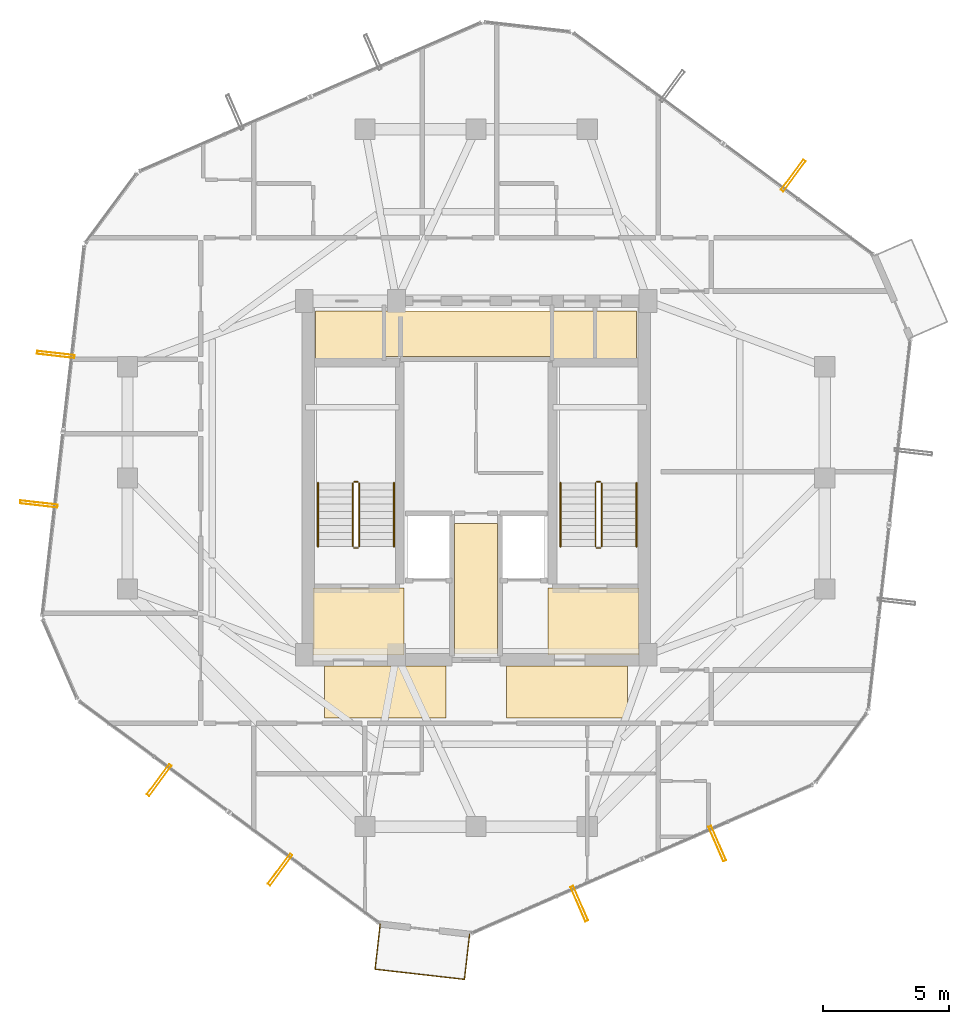
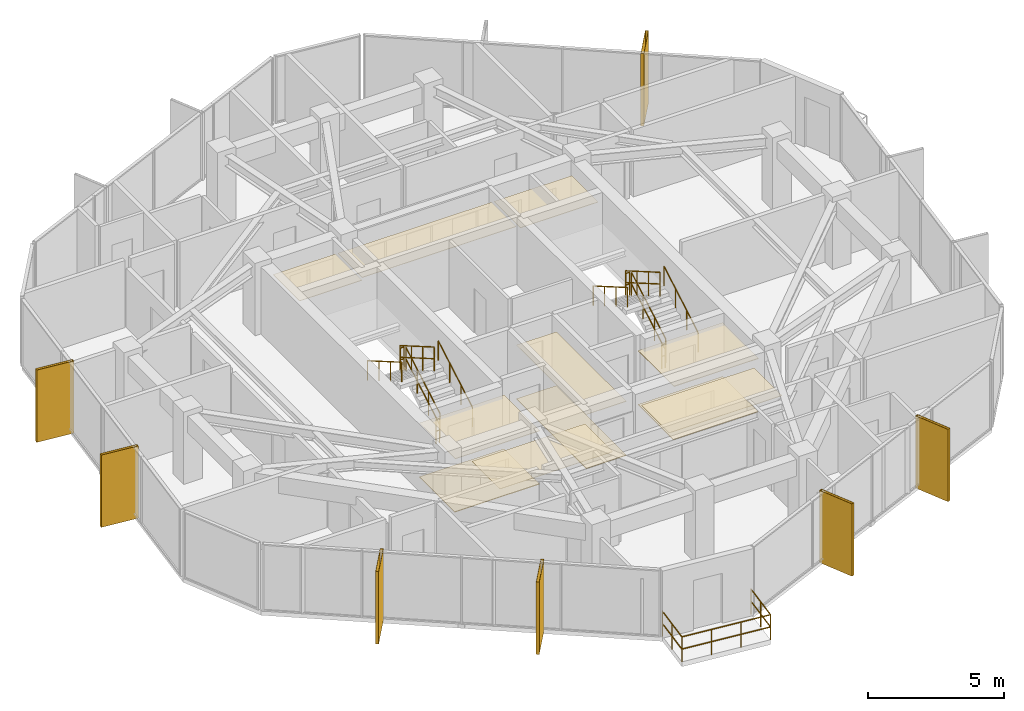
# One storey, part 29 of 30: 13 railings, 11 coverings, 7 shading devices.
"""IFC4 building model written with IfcOpenShell, lengths in metres."""

from ifc_helpers import new_model, si_unit, direction, frame, origin, origin_2d, place, context, subcontext, project, spatial, polyline, hollow_rectangle, circle, outline, extrude, material, layer, layer_set, material_profile, profile_set, type_object, element, save


model = new_model("IFC4")

# Units and contexts
model_context = context("Model", 3, precision=1e-05, world=origin(), true_north=direction((0.0, 1.0)))
body_context = subcontext(model_context, "Body", "Model", "MODEL_VIEW")
ifc_project = project(units=[si_unit("LENGTHUNIT", "METRE"), si_unit("AREAUNIT", "SQUARE_METRE"), si_unit("VOLUMEUNIT", "CUBIC_METRE"), si_unit("PLANEANGLEUNIT", "RADIAN"), si_unit("MASSUNIT", "GRAM", prefix="KILO")], contexts=[model_context])

# Site, building, storey
site_placement = place(None, origin())
site = spatial("IfcSite", under=ifc_project, at=site_placement, CompositionType="ELEMENT")
building_placement = place(site_placement, origin())
building = spatial("IfcBuilding", under=site, at=building_placement, Name="Veraguas Prism Commons", CompositionType="ELEMENT")
storey_placement = place(building_placement, frame((0.0, 0.0, 230.050048828125)))
storey = spatial("IfcBuildingStorey", under=building, at=storey_placement, Name="L65", CompositionType="ELEMENT", Elevation=230.050048828125)

# Shading devices
ifc_material_1 = material(Name="Anodised aluminium EN AW-6063 T6", Category="aluminium")
ifc_material_profile = material_profile(ifc_material_1, hollow_rectangle(XDim=0.1201171875, YDim=1.489990234375, WallThickness=0.006103515625, at=origin_2d()), Name="FIN120X1490X6")
ifc_profile_set = profile_set([ifc_material_profile], Name="Anodised aluminium EN AW-6063 T6")
shading_device_type = type_object("IfcShadingDeviceType", Name="Deep Pale-Metal Vertical Solar Fin 120x1490", PredefinedType="USERDEFINED", material=ifc_profile_set)
for number, where, z_axis, x_axis, name in (
    (1, (36.54833984375, 35.962890625, -0.215087890625), (0.0, 0.0, 1.0), (-0.804063406288, 0.594543554896, 0.0), "Vertical Pale-Metal Solar Fin L65-F1A"),
    (2, (7.36572265625, 28.8857421875, -0.215087890625), (0.0, 0.0, 1.0), (-0.112861587409, -0.993610719592, 0.0), "Vertical Pale-Metal Solar Fin L65-F3A"),
    (3, (6.693603515625, 22.96923828125, -0.215087890625), (0.0, 0.0, 1.0), (-0.112861587409, -0.993610719592, 0.0), "Vertical Pale-Metal Solar Fin L65-F3B"),
    (4, (11.45166015625, 12.037109375, -0.215087890625), (0.0, 0.0, 1.0), (0.804063406288, -0.594543554896, 0.0), "Vertical Pale-Metal Solar Fin L65-F4A"),
    (5, (16.239501953125, 8.496826171875, -0.215087890625), (0.0, 0.0, 1.0), (0.804063406288, -0.594543554896, 0.0), "Vertical Pale-Metal Solar Fin L65-F4B"),
    (6, (28.0859375, 7.1513671875, -0.215087890625), (0.0, 0.0, 1.0), (0.916920132326, 0.399070759308, 0.0), "Vertical Pale-Metal Solar Fin L65-F5A"),
    (7, (33.5458984375, 9.527587890625, -0.215087890625), (0.0, 0.0, 1.0), (0.916920132326, 0.399070759308, 0.0), "Vertical Pale-Metal Solar Fin L65-F5B"),
):
    element("IfcShadingDevice", number, at=place(storey_placement, frame(where, z_axis=z_axis, x_axis=x_axis)), inside=storey, type_object=shading_device_type, Name=name, ObjectType="FIN", PredefinedType="USERDEFINED", context=body_context, shape_type="SweptSolid", body=[
        extrude(hollow_rectangle(XDim=0.1201171875, YDim=1.489990234375, WallThickness=0.006103515625, at=origin_2d()), origin(), (0.0, 0.0, 1.0), 3.25),
    ])

# Coverings
ifc_material_2 = material(Name="Acoustic gypsum board")
ifc_layer_1 = layer(ifc_material_2, 0.02490234375, Name="Perforated Acoustic Ceiling Tile 25")
ifc_layer_set_1 = layer_set([ifc_layer_1], Name="Acoustic gypsum board")
covering_type_1 = type_object("IfcCoveringType", Name="Perforated Acoustic Ceiling Tile 25", PredefinedType="USERDEFINED", material=ifc_layer_set_1)
covering_1_placement = place(storey_placement, frame((0.0, 0.0, 2.425048828125)))
element("IfcCovering", 8, at=covering_1_placement, inside=storey, type_object=covering_type_1, Name="East Lobby Acoustic Ceiling L65", ObjectType="ACOUSTIC CEILING", PredefinedType="USERDEFINED", context=body_context, shape_type="SweptSolid", body=[
    extrude(outline(polyline([(26.85009765625, 17.0), (30.449951171875, 17.0), (30.449951171875, 19.64990234375), (26.85009765625, 19.64990234375), (26.85009765625, 17.0)])), origin(), (0.0, 0.0, 1.0), 0.02490234375),
])
ifc_material_3 = material(Name="Terrazzo stone finish", Category="masonry")
ifc_layer_2 = layer(ifc_material_3, 0.030029296875, Name="Polished Terrazzo Floor Finish 30", Category="masonry")
ifc_layer_set_2 = layer_set([ifc_layer_2], Name="Terrazzo stone finish")
covering_type_2 = type_object("IfcCoveringType", Name="Polished Terrazzo Floor Finish 30", PredefinedType="FLOORING", material=ifc_layer_set_2)
covering_2_placement = place(storey_placement, origin())
element("IfcCovering", 9, at=covering_2_placement, inside=storey, type_object=covering_type_2, Name="Terrazzo Lobby Flooring L65", PredefinedType="FLOORING", context=body_context, shape_type="SweptSolid", body=[
    extrude(outline(polyline([(23.14990234375, 17.050048828125), (24.85009765625, 17.050048828125), (24.85009765625, 22.199951171875), (23.14990234375, 22.199951171875), (23.14990234375, 17.050048828125)])), origin(), (0.0, 0.0, 1.0), 0.030029296875),
])
covering_3_placement = place(storey_placement, origin())
element("IfcCovering", 10, at=covering_3_placement, inside=storey, type_object=covering_type_2, Name="West FF Lobby Terrazzo Flooring L65", PredefinedType="FLOORING", context=body_context, shape_type="SweptSolid", body=[
    extrude(outline(polyline([(17.550048828125, 17.050048828125), (21.14990234375, 17.050048828125), (21.14990234375, 19.64990234375), (17.550048828125, 19.64990234375), (17.550048828125, 17.050048828125)])), origin(), (0.0, 0.0, 1.0), 0.030029296875),
])
covering_4_placement = place(storey_placement, origin())
element("IfcCovering", 11, at=covering_4_placement, inside=storey, type_object=covering_type_2, Name="East FF Lobby Terrazzo Flooring L65", PredefinedType="FLOORING", context=body_context, shape_type="SweptSolid", body=[
    extrude(outline(polyline([(26.85009765625, 17.050048828125), (30.449951171875, 17.050048828125), (30.449951171875, 19.64990234375), (26.85009765625, 19.64990234375), (26.85009765625, 17.050048828125)])), origin(), (0.0, 0.0, 1.0), 0.030029296875),
])

# Railings
ifc_material_4 = material(Name="Stainless steel AISI 316", Category="steel")
railing_type_1 = type_object("IfcRailingType", Name="Setback and Wind Portal Guardrail 1150", PredefinedType="GUARDRAIL", material=ifc_material_4)
railing_1_placement = place(storey_placement, frame((20.201904296875, 6.34423828125, 0.0)))
element("IfcRailing", 12, at=railing_1_placement, inside=storey, type_object=railing_type_1, Name="Setback Sky Terrace L65 Guard", PredefinedType="GUARDRAIL", context=body_context, shape_type="SweptSolid", body=[
    extrude(circle(Radius=0.02392578125, at=origin_2d()), frame((0.0, 0.0, 1.1259765625), z_axis=(-0.112842738178, -0.993612860444, 0.0), x_axis=(0.993612860444, -0.112842738178, 0.0)), (0.0, 0.0, 1.0), 1.800048828125),
    extrude(circle(Radius=0.02392578125, at=origin_2d()), frame((0.0, 0.0, 0.574951171875), z_axis=(-0.112842738178, -0.993612860444, 0.0), x_axis=(0.993612860444, -0.112842738178, 0.0)), (0.0, 0.0, 1.0), 1.800048828125),
    extrude(circle(Radius=0.02392578125, at=origin_2d()), frame((-0.203125, -1.78857421875, 1.1259765625), z_axis=(0.993617654799, -0.112800514504, 0.0), x_axis=(0.112800514504, 0.993617654799, 0.0)), (0.0, 0.0, 1.0), 3.5625),
    extrude(circle(Radius=0.02392578125, at=origin_2d()), frame((-0.203125, -1.78857421875, 0.574951171875), z_axis=(0.993617654799, -0.112800514504, 0.0), x_axis=(0.112800514504, 0.993617654799, 0.0)), (0.0, 0.0, 1.0), 3.5625),
    extrude(circle(Radius=0.02392578125, at=origin_2d()), frame((3.336669921875, -2.1904296875, 1.1259765625), z_axis=(0.112857947129, 0.993611133075, 0.0), x_axis=(-0.993611133075, 0.112857947129, 0.0)), (0.0, 0.0, 1.0), 1.7998046875),
    extrude(circle(Radius=0.02392578125, at=origin_2d()), frame((3.336669921875, -2.1904296875, 0.574951171875), z_axis=(0.112857947129, 0.993611133075, 0.0), x_axis=(-0.993611133075, 0.112857947129, 0.0)), (0.0, 0.0, 1.0), 1.7998046875),
    extrude(circle(Radius=0.02099609375, at=origin_2d()), origin(), (0.0, 0.0, 1.0), 1.101806640625),
    extrude(circle(Radius=0.02099609375, at=origin_2d()), frame((-0.1015625, -0.894287109375, 0.0)), (0.0, 0.0, 1.0), 1.101806640625),
    extrude(circle(Radius=0.02099609375, at=origin_2d()), frame((-0.203125, -1.78857421875, 0.0)), (0.0, 0.0, 1.0), 1.101806640625),
    extrude(circle(Radius=0.02099609375, at=origin_2d()), frame((0.976806640625, -1.922607421875, 0.0)), (0.0, 0.0, 1.0), 1.101806640625),
    extrude(circle(Radius=0.02099609375, at=origin_2d()), frame((2.15673828125, -2.056396484375, 0.0)), (0.0, 0.0, 1.0), 1.101806640625),
    extrude(circle(Radius=0.02099609375, at=origin_2d()), frame((3.336669921875, -2.1904296875, 0.0)), (0.0, 0.0, 1.0), 1.101806640625),
    extrude(circle(Radius=0.02099609375, at=origin_2d()), frame((3.438232421875, -1.29638671875, 0.0)), (0.0, 0.0, 1.0), 1.101806640625),
    extrude(circle(Radius=0.02099609375, at=origin_2d()), frame((3.539794921875, -0.402099609375, 0.0)), (0.0, 0.0, 1.0), 1.101806640625),
])
railing_type_2 = type_object("IfcRailingType", Name="Stair and Ramp Stainless Handrail 900", PredefinedType="HANDRAIL", material=ifc_material_4)
railing_2_placement = place(storey_placement, frame((20.75, 21.280029296875, 0.162353515625)))
element("IfcRailing", 13, at=railing_2_placement, inside=storey, type_object=railing_type_2, Name="Stair Handrail ST-01 L65-1", PredefinedType="HANDRAIL", context=body_context, shape_type="SweptSolid", body=[
    extrude(circle(Radius=0.02392578125, at=origin_2d()), frame((0.0, 0.0, 0.8759765625), z_axis=(0.0, 0.864876961378, 0.501983905795), x_axis=(-1.0, 0.0, 0.0)), (0.0, 0.0, 1.0), 2.913818359375),
    extrude(circle(Radius=0.02099609375, at=origin_2d()), origin(), (0.0, 0.0, 1.0), 0.851806640625),
    extrude(circle(Radius=0.02099609375, at=origin_2d()), frame((0.0, 0.840087890625, 0.487548828125)), (0.0, 0.0, 1.0), 0.851806640625),
    extrude(circle(Radius=0.02099609375, at=origin_2d()), frame((0.0, 1.679931640625, 0.97509765625)), (0.0, 0.0, 1.0), 0.851806640625),
    extrude(circle(Radius=0.02099609375, at=origin_2d()), frame((0.0, 2.52001953125, 1.462646484375)), (0.0, 0.0, 1.0), 0.851806640625),
])
railing_3_placement = place(storey_placement, frame((17.739990234375, 23.800048828125, 1.787353515625)))
element("IfcRailing", 14, at=railing_3_placement, inside=storey, type_object=railing_type_2, Name="Stair Handrail ST-01 L65-2", PredefinedType="HANDRAIL", context=body_context, shape_type="SweptSolid", body=[
    extrude(circle(Radius=0.02392578125, at=origin_2d()), frame((0.0, 0.0, 0.8759765625), z_axis=(0.0, -0.864876961378, 0.501983905795), x_axis=(1.0, 0.0, 0.0)), (0.0, 0.0, 1.0), 2.913818359375),
    extrude(circle(Radius=0.02099609375, at=origin_2d()), origin(), (0.0, 0.0, 1.0), 0.851806640625),
    extrude(circle(Radius=0.02099609375, at=origin_2d()), frame((0.0, -0.840087890625, 0.487548828125)), (0.0, 0.0, 1.0), 0.851806640625),
    extrude(circle(Radius=0.02099609375, at=origin_2d()), frame((0.0, -1.679931640625, 0.97509765625)), (0.0, 0.0, 1.0), 0.851806640625),
    extrude(circle(Radius=0.02099609375, at=origin_2d()), frame((0.0, -2.52001953125, 1.462646484375)), (0.0, 0.0, 1.0), 0.851806640625),
])
railing_4_placement = place(storey_placement, frame((30.35009765625, 21.280029296875, 0.162353515625)))
element("IfcRailing", 15, at=railing_4_placement, inside=storey, type_object=railing_type_2, Name="Stair Handrail ST-02 L65-1", PredefinedType="HANDRAIL", context=body_context, shape_type="SweptSolid", body=[
    extrude(circle(Radius=0.02392578125, at=origin_2d()), frame((0.0, 0.0, 0.8759765625), z_axis=(0.0, 0.864876961378, 0.501983905795), x_axis=(-1.0, 0.0, 0.0)), (0.0, 0.0, 1.0), 2.913818359375),
    extrude(circle(Radius=0.02099609375, at=origin_2d()), origin(), (0.0, 0.0, 1.0), 0.851806640625),
    extrude(circle(Radius=0.02099609375, at=origin_2d()), frame((0.0, 0.840087890625, 0.487548828125)), (0.0, 0.0, 1.0), 0.851806640625),
    extrude(circle(Radius=0.02099609375, at=origin_2d()), frame((0.0, 1.679931640625, 0.97509765625)), (0.0, 0.0, 1.0), 0.851806640625),
    extrude(circle(Radius=0.02099609375, at=origin_2d()), frame((0.0, 2.52001953125, 1.462646484375)), (0.0, 0.0, 1.0), 0.851806640625),
])
railing_5_placement = place(storey_placement, frame((27.340087890625, 23.800048828125, 1.787353515625)))
element("IfcRailing", 16, at=railing_5_placement, inside=storey, type_object=railing_type_2, Name="Stair Handrail ST-02 L65-2", PredefinedType="HANDRAIL", context=body_context, shape_type="SweptSolid", body=[
    extrude(circle(Radius=0.02392578125, at=origin_2d()), frame((0.0, 0.0, 0.8759765625), z_axis=(0.0, -0.864876961378, 0.501983905795), x_axis=(1.0, 0.0, 0.0)), (0.0, 0.0, 1.0), 2.913818359375),
    extrude(circle(Radius=0.02099609375, at=origin_2d()), origin(), (0.0, 0.0, 1.0), 0.851806640625),
    extrude(circle(Radius=0.02099609375, at=origin_2d()), frame((0.0, -0.840087890625, 0.487548828125)), (0.0, 0.0, 1.0), 0.851806640625),
    extrude(circle(Radius=0.02099609375, at=origin_2d()), frame((0.0, -1.679931640625, 0.97509765625)), (0.0, 0.0, 1.0), 0.851806640625),
    extrude(circle(Radius=0.02099609375, at=origin_2d()), frame((0.0, -2.52001953125, 1.462646484375)), (0.0, 0.0, 1.0), 0.851806640625),
])
railing_type_3 = type_object("IfcRailingType", Name="Stairwell Safety Guardrail 1100", PredefinedType="GUARDRAIL", material=ifc_material_4)
railing_6_placement = place(storey_placement, frame((19.3701171875, 21.280029296875, 0.162353515625)))
element("IfcRailing", 17, at=railing_6_placement, inside=storey, type_object=railing_type_3, Name="Stair Guard ST-01 L65-1", PredefinedType="GUARDRAIL", context=body_context, shape_type="SweptSolid", body=[
    extrude(circle(Radius=0.02392578125, at=origin_2d()), frame((0.0, 0.0, 1.076171875), z_axis=(0.0, 0.864876961378, 0.501983905795), x_axis=(-1.0, 0.0, 0.0)), (0.0, 0.0, 1.0), 2.913818359375),
    extrude(circle(Radius=0.02392578125, at=origin_2d()), frame((0.0, 0.0, 0.550048828125), z_axis=(0.0, 0.864876961378, 0.501983905795), x_axis=(-1.0, 0.0, 0.0)), (0.0, 0.0, 1.0), 2.913818359375),
    extrude(circle(Radius=0.02099609375, at=origin_2d()), origin(), (0.0, 0.0, 1.0), 1.052001953125),
    extrude(circle(Radius=0.02099609375, at=origin_2d()), frame((0.0, 0.840087890625, 0.487548828125)), (0.0, 0.0, 1.0), 1.052001953125),
    extrude(circle(Radius=0.02099609375, at=origin_2d()), frame((0.0, 1.679931640625, 0.97509765625)), (0.0, 0.0, 1.0), 1.052001953125),
    extrude(circle(Radius=0.02099609375, at=origin_2d()), frame((0.0, 2.52001953125, 1.462646484375)), (0.0, 0.0, 1.0), 1.052001953125),
])
railing_7_placement = place(storey_placement, frame((19.320068359375, 23.85009765625, 1.625)))
element("IfcRailing", 18, at=railing_7_placement, inside=storey, type_object=railing_type_3, Name="Stair Guard ST-01 L65-2", PredefinedType="GUARDRAIL", context=body_context, shape_type="SweptSolid", body=[
    extrude(circle(Radius=0.02392578125, at=origin_2d()), frame((0.0, 0.0, 1.076171875), z_axis=(-1.0, 0.0, 0.0), x_axis=(0.0, -1.0, 0.0)), (0.0, 0.0, 1.0), 0.150146484375),
    extrude(circle(Radius=0.02392578125, at=origin_2d()), frame((0.0, 0.0, 0.550048828125), z_axis=(-1.0, 0.0, 0.0), x_axis=(0.0, -1.0, 0.0)), (0.0, 0.0, 1.0), 0.150146484375),
    extrude(circle(Radius=0.02099609375, at=origin_2d()), origin(), (0.0, 0.0, 1.0), 1.052001953125),
    extrude(circle(Radius=0.02099609375, at=origin_2d()), frame((-0.150146484375, 0.0, 0.0)), (0.0, 0.0, 1.0), 1.052001953125),
])
railing_8_placement = place(storey_placement, frame((19.1201171875, 23.800048828125, 1.787353515625)))
element("IfcRailing", 19, at=railing_8_placement, inside=storey, type_object=railing_type_3, Name="Stair Guard ST-01 L65-3", PredefinedType="GUARDRAIL", context=body_context, shape_type="SweptSolid", body=[
    extrude(circle(Radius=0.02392578125, at=origin_2d()), frame((0.0, 0.0, 1.076171875), z_axis=(0.0, -0.864876961378, 0.501983905795), x_axis=(1.0, 0.0, 0.0)), (0.0, 0.0, 1.0), 2.913818359375),
    extrude(circle(Radius=0.02392578125, at=origin_2d()), frame((0.0, 0.0, 0.550048828125), z_axis=(0.0, -0.864876961378, 0.501983905795), x_axis=(1.0, 0.0, 0.0)), (0.0, 0.0, 1.0), 2.913818359375),
    extrude(circle(Radius=0.02099609375, at=origin_2d()), origin(), (0.0, 0.0, 1.0), 1.052001953125),
    extrude(circle(Radius=0.02099609375, at=origin_2d()), frame((0.0, -0.840087890625, 0.487548828125)), (0.0, 0.0, 1.0), 1.052001953125),
    extrude(circle(Radius=0.02099609375, at=origin_2d()), frame((0.0, -1.679931640625, 0.97509765625)), (0.0, 0.0, 1.0), 1.052001953125),
    extrude(circle(Radius=0.02099609375, at=origin_2d()), frame((0.0, -2.52001953125, 1.462646484375)), (0.0, 0.0, 1.0), 1.052001953125),
])
railing_9_placement = place(storey_placement, frame((19.320068359375, 21.22998046875, 0.0)))
element("IfcRailing", 20, at=railing_9_placement, inside=storey, type_object=railing_type_3, Name="Stair Guard ST-01 L65-4", PredefinedType="GUARDRAIL", context=body_context, shape_type="SweptSolid", body=[
    extrude(circle(Radius=0.02392578125, at=origin_2d()), frame((0.0, 0.0, 1.076171875), z_axis=(-1.0, 0.0, 0.0), x_axis=(0.0, -1.0, 0.0)), (0.0, 0.0, 1.0), 0.150146484375),
    extrude(circle(Radius=0.02392578125, at=origin_2d()), frame((0.0, 0.0, 0.550048828125), z_axis=(-1.0, 0.0, 0.0), x_axis=(0.0, -1.0, 0.0)), (0.0, 0.0, 1.0), 0.150146484375),
    extrude(circle(Radius=0.02099609375, at=origin_2d()), origin(), (0.0, 0.0, 1.0), 1.052001953125),
    extrude(circle(Radius=0.02099609375, at=origin_2d()), frame((-0.150146484375, 0.0, 0.0)), (0.0, 0.0, 1.0), 1.052001953125),
])
railing_10_placement = place(storey_placement, frame((28.969970703125, 21.280029296875, 0.162353515625)))
element("IfcRailing", 21, at=railing_10_placement, inside=storey, type_object=railing_type_3, Name="Stair Guard ST-02 L65-1", PredefinedType="GUARDRAIL", context=body_context, shape_type="SweptSolid", body=[
    extrude(circle(Radius=0.02392578125, at=origin_2d()), frame((0.0, 0.0, 1.076171875), z_axis=(0.0, 0.864876961378, 0.501983905795), x_axis=(-1.0, 0.0, 0.0)), (0.0, 0.0, 1.0), 2.913818359375),
    extrude(circle(Radius=0.02392578125, at=origin_2d()), frame((0.0, 0.0, 0.550048828125), z_axis=(0.0, 0.864876961378, 0.501983905795), x_axis=(-1.0, 0.0, 0.0)), (0.0, 0.0, 1.0), 2.913818359375),
    extrude(circle(Radius=0.02099609375, at=origin_2d()), origin(), (0.0, 0.0, 1.0), 1.052001953125),
    extrude(circle(Radius=0.02099609375, at=origin_2d()), frame((0.0, 0.840087890625, 0.487548828125)), (0.0, 0.0, 1.0), 1.052001953125),
    extrude(circle(Radius=0.02099609375, at=origin_2d()), frame((0.0, 1.679931640625, 0.97509765625)), (0.0, 0.0, 1.0), 1.052001953125),
    extrude(circle(Radius=0.02099609375, at=origin_2d()), frame((0.0, 2.52001953125, 1.462646484375)), (0.0, 0.0, 1.0), 1.052001953125),
])
railing_11_placement = place(storey_placement, frame((28.919921875, 23.85009765625, 1.625)))
element("IfcRailing", 22, at=railing_11_placement, inside=storey, type_object=railing_type_3, Name="Stair Guard ST-02 L65-2", PredefinedType="GUARDRAIL", context=body_context, shape_type="SweptSolid", body=[
    extrude(circle(Radius=0.02392578125, at=origin_2d()), frame((0.0, 0.0, 1.076171875), z_axis=(-1.0, 0.0, 0.0), x_axis=(0.0, -1.0, 0.0)), (0.0, 0.0, 1.0), 0.14990234375),
    extrude(circle(Radius=0.02392578125, at=origin_2d()), frame((0.0, 0.0, 0.550048828125), z_axis=(-1.0, 0.0, 0.0), x_axis=(0.0, -1.0, 0.0)), (0.0, 0.0, 1.0), 0.14990234375),
    extrude(circle(Radius=0.02099609375, at=origin_2d()), origin(), (0.0, 0.0, 1.0), 1.052001953125),
    extrude(circle(Radius=0.02099609375, at=origin_2d()), frame((-0.14990234375, 0.0, 0.0)), (0.0, 0.0, 1.0), 1.052001953125),
])
railing_12_placement = place(storey_placement, frame((28.719970703125, 23.800048828125, 1.787353515625)))
element("IfcRailing", 23, at=railing_12_placement, inside=storey, type_object=railing_type_3, Name="Stair Guard ST-02 L65-3", PredefinedType="GUARDRAIL", context=body_context, shape_type="SweptSolid", body=[
    extrude(circle(Radius=0.02392578125, at=origin_2d()), frame((0.0, 0.0, 1.076171875), z_axis=(0.0, -0.864876961378, 0.501983905795), x_axis=(1.0, 0.0, 0.0)), (0.0, 0.0, 1.0), 2.913818359375),
    extrude(circle(Radius=0.02392578125, at=origin_2d()), frame((0.0, 0.0, 0.550048828125), z_axis=(0.0, -0.864876961378, 0.501983905795), x_axis=(1.0, 0.0, 0.0)), (0.0, 0.0, 1.0), 2.913818359375),
    extrude(circle(Radius=0.02099609375, at=origin_2d()), origin(), (0.0, 0.0, 1.0), 1.052001953125),
    extrude(circle(Radius=0.02099609375, at=origin_2d()), frame((0.0, -0.840087890625, 0.487548828125)), (0.0, 0.0, 1.0), 1.052001953125),
    extrude(circle(Radius=0.02099609375, at=origin_2d()), frame((0.0, -1.679931640625, 0.97509765625)), (0.0, 0.0, 1.0), 1.052001953125),
    extrude(circle(Radius=0.02099609375, at=origin_2d()), frame((0.0, -2.52001953125, 1.462646484375)), (0.0, 0.0, 1.0), 1.052001953125),
])
railing_13_placement = place(storey_placement, frame((28.919921875, 21.22998046875, 0.0)))
element("IfcRailing", 24, at=railing_13_placement, inside=storey, type_object=railing_type_3, Name="Stair Guard ST-02 L65-4", PredefinedType="GUARDRAIL", context=body_context, shape_type="SweptSolid", body=[
    extrude(circle(Radius=0.02392578125, at=origin_2d()), frame((0.0, 0.0, 1.076171875), z_axis=(-1.0, 0.0, 0.0), x_axis=(0.0, -1.0, 0.0)), (0.0, 0.0, 1.0), 0.14990234375),
    extrude(circle(Radius=0.02392578125, at=origin_2d()), frame((0.0, 0.0, 0.550048828125), z_axis=(-1.0, 0.0, 0.0), x_axis=(0.0, -1.0, 0.0)), (0.0, 0.0, 1.0), 0.14990234375),
    extrude(circle(Radius=0.02099609375, at=origin_2d()), origin(), (0.0, 0.0, 1.0), 1.052001953125),
    extrude(circle(Radius=0.02099609375, at=origin_2d()), frame((-0.14990234375, 0.0, 0.0)), (0.0, 0.0, 1.0), 1.052001953125),
])

# Coverings
ifc_layer_3 = layer(ifc_material_2, 0.02001953125, Name="Suspended Gypsum Ceiling 20")
ifc_layer_set_3 = layer_set([ifc_layer_3], Name="Acoustic gypsum board")
covering_type_3 = type_object("IfcCoveringType", Name="Suspended Gypsum Ceiling 20", PredefinedType="CEILING", material=ifc_layer_set_3)
covering_5_placement = place(storey_placement, frame((0.0, 0.0, 2.429931640625)))
element("IfcCovering", 25, at=covering_5_placement, inside=storey, type_object=covering_type_3, Name="West Lobby Suspended Gypsum Ceiling L65", PredefinedType="CEILING", context=body_context, shape_type="SweptSolid", body=[
    extrude(outline(polyline([(17.550048828125, 17.0), (21.14990234375, 17.0), (21.14990234375, 19.64990234375), (17.550048828125, 19.64990234375), (17.550048828125, 17.0)])), origin(), (0.0, 0.0, 1.0), 0.02001953125),
])
covering_6_placement = place(storey_placement, frame((0.0, 0.0, 2.429931640625)))
element("IfcCovering", 26, at=covering_6_placement, inside=storey, type_object=covering_type_3, Name="Core Lobby Acoustic Ceiling L65-1", PredefinedType="CEILING", context=body_context, shape_type="SweptSolid", body=[
    extrude(outline(polyline([(18.0, 14.5), (22.800048828125, 14.5), (22.800048828125, 16.550048828125), (18.0, 16.550048828125), (18.0, 14.5)])), origin(), (0.0, 0.0, 1.0), 0.02001953125),
])
covering_7_placement = place(storey_placement, frame((0.0, 0.0, 2.429931640625)))
element("IfcCovering", 27, at=covering_7_placement, inside=storey, type_object=covering_type_3, Name="Core Lobby Acoustic Ceiling L65-2", PredefinedType="CEILING", context=body_context, shape_type="SweptSolid", body=[
    extrude(outline(polyline([(25.199951171875, 14.5), (30.0, 14.5), (30.0, 16.550048828125), (25.199951171875, 16.550048828125), (25.199951171875, 14.5)])), origin(), (0.0, 0.0, 1.0), 0.02001953125),
])
covering_8_placement = place(storey_placement, frame((0.0, 0.0, 2.429931640625)))
element("IfcCovering", 28, at=covering_8_placement, inside=storey, type_object=covering_type_3, Name="Core Lobby Acoustic Ceiling L65-3", PredefinedType="CEILING", context=body_context, shape_type="SweptSolid", body=[
    extrude(outline(polyline([(23.14990234375, 17.050048828125), (24.85009765625, 17.050048828125), (24.85009765625, 22.199951171875), (23.14990234375, 22.199951171875), (23.14990234375, 17.050048828125)])), origin(), (0.0, 0.0, 1.0), 0.02001953125),
])
covering_9_placement = place(storey_placement, frame((0.0, 0.0, 2.429931640625)))
element("IfcCovering", 29, at=covering_9_placement, inside=storey, type_object=covering_type_3, Name="Core Lobby Acoustic Ceiling L65-4", PredefinedType="CEILING", context=body_context, shape_type="SweptSolid", body=[
    extrude(outline(polyline([(17.64990234375, 28.64990234375), (20.300048828125, 28.64990234375), (20.300048828125, 30.60009765625), (17.64990234375, 30.60009765625), (17.64990234375, 28.64990234375)])), origin(), (0.0, 0.0, 1.0), 0.02001953125),
])
covering_10_placement = place(storey_placement, frame((0.0, 0.0, 2.429931640625)))
element("IfcCovering", 30, at=covering_10_placement, inside=storey, type_object=covering_type_3, Name="Core Lobby Acoustic Ceiling L65-5", PredefinedType="CEILING", context=body_context, shape_type="SweptSolid", body=[
    extrude(outline(polyline([(27.050048828125, 28.64990234375), (30.35009765625, 28.64990234375), (30.35009765625, 30.60009765625), (27.050048828125, 30.60009765625), (27.050048828125, 28.64990234375)])), origin(), (0.0, 0.0, 1.0), 0.02001953125),
])
covering_11_placement = place(storey_placement, frame((0.0, 0.0, 2.429931640625)))
element("IfcCovering", 31, at=covering_11_placement, inside=storey, type_object=covering_type_3, Name="Core Lobby Acoustic Ceiling L65-6", PredefinedType="CEILING", context=body_context, shape_type="SweptSolid", body=[
    extrude(outline(polyline([(20.39990234375, 28.800048828125), (26.949951171875, 28.800048828125), (26.949951171875, 30.60009765625), (20.39990234375, 30.60009765625), (20.39990234375, 28.800048828125)])), origin(), (0.0, 0.0, 1.0), 0.02001953125),
])

save(model, "model.ifc")
